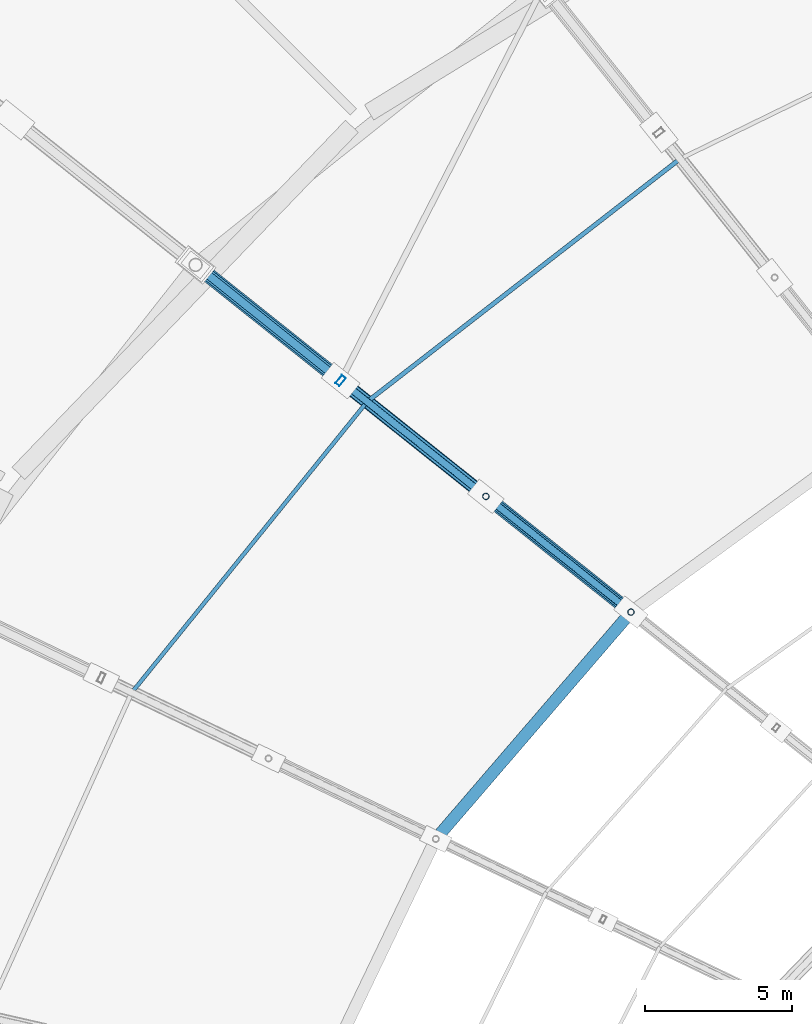
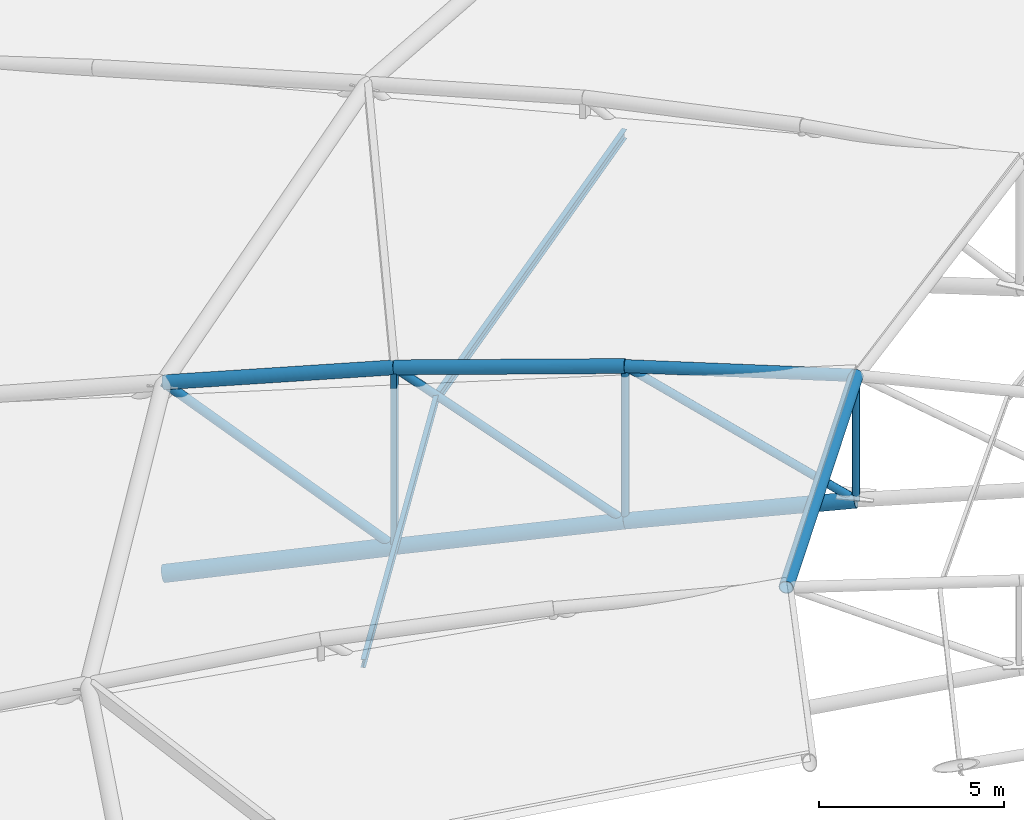
# One storey, part 40 of 108: 15 members.
"""IFC4 building model written with IfcOpenShell, lengths in metres."""

from ifc_helpers import new_model, si_unit, direction, frame, origin, origin_2d, place, context, subcontext, project, spatial, hollow_rectangle, hollow_circle, i_section, extrude, material, material_profile, profile_set, type_object, element, save


model = new_model("IFC4")

# Units and contexts
model_context = context("Model", 3, precision=1e-05, world=origin(), true_north=direction((0.0, 1.0)))
body_context = subcontext(model_context, "Body", "Model", "MODEL_VIEW")
ifc_project = project(units=[si_unit("LENGTHUNIT", "METRE"), si_unit("AREAUNIT", "SQUARE_METRE"), si_unit("VOLUMEUNIT", "CUBIC_METRE"), si_unit("PLANEANGLEUNIT", "RADIAN"), si_unit("MASSUNIT", "GRAM", prefix="KILO")], contexts=[model_context])

# Site, building, storey
site_placement = place(None, origin())
site = spatial("IfcSite", under=ifc_project, at=site_placement, CompositionType="ELEMENT")
building_placement = place(site_placement, origin())
building = spatial("IfcBuilding", under=site, at=building_placement, Name="Zevraka Park Crest Stadium", CompositionType="ELEMENT")
storey_placement = place(building_placement, frame((0.0, 0.0, 29.39990234375)))
storey = spatial("IfcBuildingStorey", under=building, at=storey_placement, Name="RF", CompositionType="ELEMENT", Elevation=29.39990234375)

# Members
ifc_material_1 = material(Name="Steel S355", Category="steel")
ifc_material_profile_1 = material_profile(ifc_material_1, i_section(OverallWidth=0.14990234375, OverallDepth=0.300048828125, WebThickness=0.007080078125, FlangeThickness=0.0107421875, at=origin_2d()), Name="IPE 300")
ifc_profile_set_1 = profile_set([ifc_material_profile_1], Name="Steel S355")
member_type_1 = type_object("IfcMemberType", Name="PR02", PredefinedType="PURLIN", material=ifc_profile_set_1)
member_1_placement = place(storey_placement, frame((70.194091796875, 132.695068359375, 7.47314453125), z_axis=(-0.789959240492, -0.613159358048, 0.0), x_axis=(0.613159358048, -0.789959240492, 0.0)))
element("IfcMember", 1, at=member_1_placement, inside=storey, type_object=member_type_1, Name="Canopy Roof Purlin PR02 OUTER-11-2", PredefinedType="PURLIN", context=body_context, shape_type="SweptSolid", body=[
    extrude(i_section(OverallWidth=0.14990234375, OverallDepth=0.300048828125, WebThickness=0.007080078125, FlangeThickness=0.0107421875, at=origin_2d()), origin(), (0.0, 0.0, 1.0), 13.440185546875),
])
ifc_material_2 = material(Name="Steel S355", Category="steel")
ifc_material_profile_2 = material_profile(ifc_material_2, i_section(OverallWidth=0.135009765625, OverallDepth=0.27001953125, WebThickness=0.006591796875, FlangeThickness=0.01025390625, at=origin_2d()), Name="IPE 270")
ifc_profile_set_2 = profile_set([ifc_material_profile_2], Name="Steel S355")
member_type_2 = type_object("IfcMemberType", Name="PR04", PredefinedType="PURLIN", material=ifc_profile_set_2)
member_2_placement = place(storey_placement, frame((59.576904296875, 124.4541015625, 7.488037109375), z_axis=(-0.629088704104, -0.777333520677, 0.0), x_axis=(0.777333520677, -0.629088704104, 0.0)))
element("IfcMember", 2, at=member_2_placement, inside=storey, type_object=member_type_2, Name="Canopy Roof Purlin PR04 OUTER-12-2", PredefinedType="PURLIN", context=body_context, shape_type="SweptSolid", body=[
    extrude(i_section(OverallWidth=0.135009765625, OverallDepth=0.27001953125, WebThickness=0.006591796875, FlangeThickness=0.01025390625, at=origin_2d()), origin(), (0.0, 0.0, 1.0), 12.697509765625),
])
ifc_material_3 = material(Name="Steel S355", Category="steel")
ifc_material_profile_3 = material_profile(ifc_material_3, hollow_circle(Radius=0.25390625, WallThickness=0.030029296875, at=origin_2d()), Name="CHS 508.0x30")
ifc_profile_set_3 = profile_set([ifc_material_profile_3], Name="Steel S355")
member_type_3 = type_object("IfcMemberType", Name="TC01", PredefinedType="CHORD", material=ifc_profile_set_3)
member_3_placement = place(storey_placement, frame((53.75390625, 129.097900390625, 0.900146484375), z_axis=(0.759158693426, -0.605467913475, 0.238928198313), x_axis=(0.623526977414, 0.781801834506, 0.0)))
element("IfcMember", 3, at=member_3_placement, inside=storey, type_object=member_type_3, Name="Roof Truss Bottom Chord TC01 T12-3", PredefinedType="CHORD", context=body_context, shape_type="SweptSolid", body=[
    extrude(hollow_circle(Radius=0.25390625, WallThickness=0.030029296875, at=origin_2d()), origin(), (0.0, 0.0, 1.0), 6.487548828125),
])
ifc_material_4 = material(Name="Steel S355", Category="steel")
ifc_material_profile_4 = material_profile(ifc_material_4, hollow_circle(Radius=0.228515625, WallThickness=0.02490234375, at=origin_2d()), Name="CHS 457.0x25")
ifc_profile_set_4 = profile_set([ifc_material_profile_4], Name="Steel S355")
member_type_4 = type_object("IfcMemberType", Name="TC02", PredefinedType="CHORD", material=ifc_profile_set_4)
member_4_placement = place(storey_placement, frame((58.678955078125, 125.169921875, 2.4501953125), z_axis=(0.760602740013, -0.606499354913, 0.231607435924), x_axis=(0.623451415626, 0.781862092926, 0.0)))
element("IfcMember", 4, at=member_4_placement, inside=storey, type_object=member_type_4, Name="Roof Truss Bottom Chord TC02 T12-4", PredefinedType="CHORD", context=body_context, shape_type="SweptSolid", body=[
    extrude(hollow_circle(Radius=0.228515625, WallThickness=0.02490234375, at=origin_2d()), origin(), (0.0, 0.0, 1.0), 6.4765625),
])
member_5_placement = place(storey_placement, frame((63.60498046875, 121.241943359375, 3.9501953125), z_axis=(0.764449300006, -0.609687443008, 0.209519663894), x_axis=(0.623526977414, 0.781801834506, 0.0)))
element("IfcMember", 5, at=member_5_placement, inside=storey, type_object=member_type_4, Name="Roof Truss Bottom Chord TC02 T12-5", PredefinedType="CHORD", context=body_context, shape_type="SweptSolid", body=[
    extrude(hollow_circle(Radius=0.228515625, WallThickness=0.02490234375, at=origin_2d()), origin(), (0.0, 0.0, 1.0), 6.442626953125),
])
ifc_material_5 = material(Name="Steel S355", Category="steel")
ifc_material_profile_5 = material_profile(ifc_material_5, hollow_circle(Radius=0.203125, WallThickness=0.02001953125, at=origin_2d()), Name="CHS 406.4x20")
ifc_profile_set_5 = profile_set([ifc_material_profile_5], Name="Steel S355")
member_type_5 = type_object("IfcMemberType", Name="TC03", PredefinedType="CHORD", material=ifc_profile_set_5)
member_6_placement = place(storey_placement, frame((53.75390625, 129.097900390625, 7.2001953125), z_axis=(0.769094032143, -0.613391854615, 0.179568378099), x_axis=(0.623526977414, 0.781801834506, 0.0)))
element("IfcMember", 6, at=member_6_placement, inside=storey, type_object=member_type_5, Name="Roof Truss Top Chord TC03 T12-3", PredefinedType="CHORD", context=body_context, shape_type="SweptSolid", body=[
    extrude(hollow_circle(Radius=0.203125, WallThickness=0.02001953125, at=origin_2d()), origin(), (0.0, 0.0, 1.0), 6.40380859375),
])
member_7_placement = place(storey_placement, frame((58.678955078125, 125.169921875, 8.35009765625), z_axis=(0.777081243821, -0.619639199674, 0.110417402291), x_axis=(0.623451415626, 0.781862092926, 0.0)))
element("IfcMember", 7, at=member_7_placement, inside=storey, type_object=member_type_5, Name="Roof Truss Top Chord TC03 T12-4", PredefinedType="CHORD", context=body_context, shape_type="SweptSolid", body=[
    extrude(hollow_circle(Radius=0.203125, WallThickness=0.02001953125, at=origin_2d()), origin(), (0.0, 0.0, 1.0), 6.339111328125),
])
member_8_placement = place(storey_placement, frame((68.530029296875, 117.31396484375, 9.400146484375), z_axis=(-0.652251230259, -0.758002857927, 0.0), x_axis=(0.758002857927, -0.652251230259, 0.0)))
element("IfcMember", 8, at=member_8_placement, inside=storey, type_object=member_type_5, Name="Roof Canopy Arch Crown Ring Chord TC03 12", PredefinedType="CHORD", context=body_context, shape_type="SweptSolid", body=[
    extrude(hollow_circle(Radius=0.203125, WallThickness=0.02001953125, at=origin_2d()), origin(), (0.0, 0.0, 1.0), 10.155517578125),
])
ifc_material_6 = material(Name="Steel S355", Category="steel")
ifc_material_profile_6 = material_profile(ifc_material_6, hollow_circle(Radius=0.177734375, WallThickness=0.01611328125, at=origin_2d()), Name="CHS 355.6x16")
ifc_profile_set_6 = profile_set([ifc_material_profile_6], Name="Steel S355")
member_type_6 = type_object("IfcMemberType", Name="TC05", PredefinedType="CHORD", material=ifc_profile_set_6)
member_9_placement = place(storey_placement, frame((63.60498046875, 121.241943359375, 9.050048828125), z_axis=(0.780597317848, -0.622566313729, 0.055488849145), x_axis=(0.623526977414, 0.781801834506, 0.0)))
element("IfcMember", 9, at=member_9_placement, inside=storey, type_object=member_type_6, Name="Roof Truss Top Chord TC05 T12-5", PredefinedType="CHORD", context=body_context, shape_type="SweptSolid", body=[
    extrude(hollow_circle(Radius=0.177734375, WallThickness=0.01611328125, at=origin_2d()), origin(), (0.0, 0.0, 1.0), 6.309326171875),
])
ifc_material_7 = material(Name="Steel S355", Category="steel")
ifc_material_profile_7 = material_profile(ifc_material_7, hollow_circle(Radius=0.136474609375, WallThickness=0.012451171875, at=origin_2d()), Name="CHS 273.0x12.5")
ifc_profile_set_7 = profile_set([ifc_material_profile_7], Name="Steel S355")
member_type_7 = type_object("IfcMemberType", Name="WB01", PredefinedType="BRACE", material=ifc_profile_set_7)
member_10_placement = place(storey_placement, frame((58.678955078125, 125.169921875, 2.4501953125), z_axis=(-0.62423650288, 0.49786056089, 0.602049541468), x_axis=(-0.623526977414, -0.781801834506, 0.0)))
element("IfcMember", 10, at=member_10_placement, inside=storey, type_object=member_type_7, Name="Roof Truss Web Diagonal WB01 T12-3", PredefinedType="BRACE", context=body_context, shape_type="SweptSolid", body=[
    extrude(hollow_circle(Radius=0.136474609375, WallThickness=0.012451171875, at=origin_2d()), origin(), (0.0, 0.0, 1.0), 7.8896484375),
])
ifc_material_8 = material(Name="Steel S355", Category="steel")
ifc_material_profile_8 = material_profile(ifc_material_8, hollow_circle(Radius=0.109619140625, WallThickness=0.010009765625, at=origin_2d()), Name="CHS 219.1x10")
ifc_profile_set_8 = profile_set([ifc_material_profile_8], Name="Steel S355")
member_type_8 = type_object("IfcMemberType", Name="WB02", PredefinedType="BRACE", material=ifc_profile_set_8)
member_11_placement = place(storey_placement, frame((63.60498046875, 121.241943359375, 3.9501953125), z_axis=(0.0, 0.0, 1.0), x_axis=(-0.781847027868, 0.623470308046, 0.0)))
element("IfcMember", 11, at=member_11_placement, inside=storey, type_object=member_type_8, Name="Roof Truss Web Post WB02 T12-4", PredefinedType="BRACE", context=body_context, shape_type="SweptSolid", body=[
    extrude(hollow_circle(Radius=0.109619140625, WallThickness=0.010009765625, at=origin_2d()), origin(), (0.0, 0.0, 1.0), 5.099853515625),
])
member_12_placement = place(storey_placement, frame((68.530029296875, 117.31396484375, 5.300048828125), z_axis=(0.0, 0.0, 1.0), x_axis=(-0.781847027868, 0.623470308046, 0.0)))
element("IfcMember", 12, at=member_12_placement, inside=storey, type_object=member_type_8, Name="Roof Truss Web Post WB02 T12-5", PredefinedType="BRACE", context=body_context, shape_type="SweptSolid", body=[
    extrude(hollow_circle(Radius=0.109619140625, WallThickness=0.010009765625, at=origin_2d()), origin(), (0.0, 0.0, 1.0), 4.10009765625),
])
ifc_material_9 = material(Name="Steel S355", Category="steel")
ifc_material_profile_9 = material_profile(ifc_material_9, hollow_circle(Radius=0.122314453125, WallThickness=0.012451171875, at=origin_2d()), Name="CHS 244.5x12.5")
ifc_profile_set_9 = profile_set([ifc_material_profile_9], Name="Steel S355")
member_type_9 = type_object("IfcMemberType", Name="WB07", PredefinedType="BRACE", material=ifc_profile_set_9)
member_13_placement = place(storey_placement, frame((63.60498046875, 121.241943359375, 3.9501953125), z_axis=(-0.641021240171, 0.51114589548, 0.572557109102), x_axis=(-0.623451415626, -0.781862092926, 0.0)))
element("IfcMember", 13, at=member_13_placement, inside=storey, type_object=member_type_9, Name="Roof Truss Web Diagonal WB07 T12-4", PredefinedType="BRACE", context=body_context, shape_type="SweptSolid", body=[
    extrude(hollow_circle(Radius=0.122314453125, WallThickness=0.012451171875, at=origin_2d()), origin(), (0.0, 0.0, 1.0), 7.6845703125),
])
member_14_placement = place(storey_placement, frame((68.530029296875, 117.31396484375, 5.300048828125), z_axis=(-0.671785950307, 0.535783678902, 0.511507073649), x_axis=(-0.623526977414, -0.781801834506, 0.0)))
element("IfcMember", 14, at=member_14_placement, inside=storey, type_object=member_type_9, Name="Roof Truss Web Diagonal WB07 T12-5", PredefinedType="BRACE", context=body_context, shape_type="SweptSolid", body=[
    extrude(hollow_circle(Radius=0.122314453125, WallThickness=0.012451171875, at=origin_2d()), origin(), (0.0, 0.0, 1.0), 7.331298828125),
])
ifc_material_10 = material(Name="Steel S355", Category="steel")
ifc_material_profile_10 = material_profile(ifc_material_10, hollow_rectangle(XDim=0.175048828125, YDim=0.35009765625, WallThickness=0.012451171875, at=origin_2d()), Name="RHS 350x175x12.5")
ifc_profile_set_10 = profile_set([ifc_material_profile_10], Name="Steel S355")
member_type_10 = type_object("IfcMemberType", Name="WB09", PredefinedType="BRACE", material=ifc_profile_set_10)
member_15_placement = place(storey_placement, frame((58.678955078125, 125.169921875, 2.4501953125), z_axis=(0.0, 0.0, 1.0), x_axis=(-0.781847027868, 0.623470308046, 0.0)))
element("IfcMember", 15, at=member_15_placement, inside=storey, type_object=member_type_10, Name="Roof Truss Web Post WB09 T12-3", PredefinedType="BRACE", context=body_context, shape_type="SweptSolid", body=[
    extrude(hollow_rectangle(XDim=0.175048828125, YDim=0.35009765625, WallThickness=0.012451171875, at=origin_2d()), origin(), (0.0, 0.0, 1.0), 5.89990234375),
])

save(model, "model.ifc")
